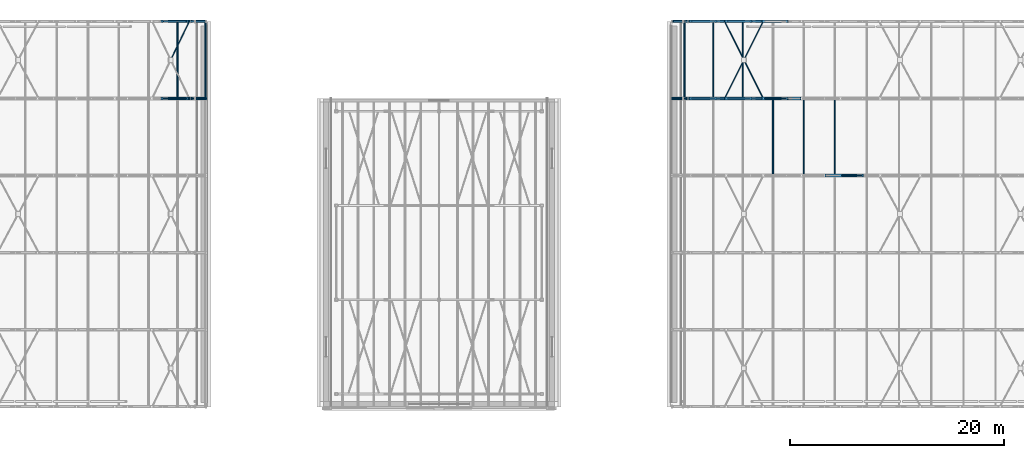
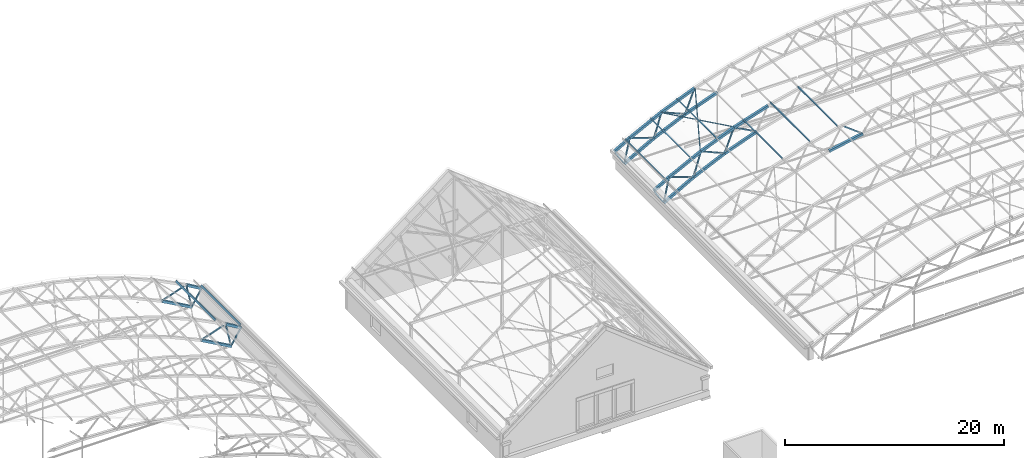
# One storey, part 43 of 127: 50 members.
"""IFC4 building model written with IfcOpenShell, lengths in metres."""

from ifc_helpers import new_model, si_unit, direction, frame, origin, origin_2d, place, context, subcontext, project, spatial, hollow_rectangle, hollow_circle, extrude, material, material_profile, profile_set, type_object, element, save


model = new_model("IFC4")

# Units and contexts
model_context = context("Model", 3, precision=1e-05, world=origin(), true_north=direction((0.0, 1.0)))
body_context = subcontext(model_context, "Body", "Model", "MODEL_VIEW")
ifc_project = project(units=[si_unit("LENGTHUNIT", "METRE"), si_unit("AREAUNIT", "SQUARE_METRE"), si_unit("VOLUMEUNIT", "CUBIC_METRE"), si_unit("PLANEANGLEUNIT", "RADIAN"), si_unit("MASSUNIT", "GRAM", prefix="KILO")], contexts=[model_context])

# Site, building, storey
site_placement = place(None, origin())
site = spatial("IfcSite", under=ifc_project, at=site_placement, CompositionType="ELEMENT")
building_placement = place(site_placement, origin())
building = spatial("IfcBuilding", under=site, at=building_placement, Name="Verrick Yard Athletic Hall", CompositionType="ELEMENT")
storey_placement = place(building_placement, frame((0.0, 0.0, 14.0)))
storey = spatial("IfcBuildingStorey", under=building, at=storey_placement, Name="L03", CompositionType="ELEMENT", Elevation=14.0)

# Members
ifc_material = material(Name="Structural steel HSS Class C 350W (CSA G40.20/G40.21)", Category="steel")
ifc_material_profile_1 = material_profile(ifc_material, hollow_rectangle(XDim=0.25390625, YDim=0.25390625, WallThickness=0.009521484375, at=origin_2d()), Name="HSS254x254x9.5")
ifc_profile_set_1 = profile_set([ifc_material_profile_1], Name="Structural steel HSS Class C 350W (CSA G40.20/G40.21)")
member_type_1 = type_object("IfcMemberType", Name="HB bottom chord HSS254x254x9.5", PredefinedType="CHORD", material=ifc_profile_set_1)
member_1_placement = place(storey_placement, frame((134.883544921875, 93.60009765625, 5.4912109375), z_axis=(0.980846119722, 0.0, 0.194784212465), x_axis=(0.0, 1.0, 0.0)))
element("IfcMember", 1, at=member_1_placement, inside=storey, type_object=member_type_1, Name="Truss TA4 bottom chord 5", PredefinedType="CHORD", context=body_context, shape_type="SweptSolid", body=[
    extrude(hollow_rectangle(XDim=0.25390625, YDim=0.25390625, WallThickness=0.009521484375, at=origin_2d()), origin(), (0.0, 0.0, 1.0), 3.595947265625),
])
member_2_placement = place(storey_placement, frame((121.60009765625, 100.800048828125, 0.0), z_axis=(0.872881488331, 0.0, 0.4879322774), x_axis=(0.0, 1.0, 0.0)))
element("IfcMember", 2, at=member_2_placement, inside=storey, type_object=member_type_1, Name="Truss TA5 bottom chord 1", PredefinedType="CHORD", context=body_context, shape_type="SweptSolid", body=[
    extrude(hollow_rectangle(XDim=0.25390625, YDim=0.25390625, WallThickness=0.009521484375, at=origin_2d()), origin(), (0.0, 0.0, 1.0), 3.60107421875),
])
member_3_placement = place(storey_placement, frame((124.752197265625, 100.800048828125, 1.761474609375), z_axis=(0.908445597889, 0.0, 0.418003104865), x_axis=(0.0, 1.0, 0.0)))
element("IfcMember", 3, at=member_3_placement, inside=storey, type_object=member_type_1, Name="Truss TA5 bottom chord 2", PredefinedType="CHORD", context=body_context, shape_type="SweptSolid", body=[
    extrude(hollow_rectangle(XDim=0.25390625, YDim=0.25390625, WallThickness=0.009521484375, at=origin_2d()), origin(), (0.0, 0.0, 1.0), 3.59619140625),
])
member_4_placement = place(storey_placement, frame((128.0283203125, 100.800048828125, 3.2685546875), z_axis=(0.938394107905, 0.0, 0.345566922966), x_axis=(0.0, 1.0, 0.0)))
element("IfcMember", 4, at=member_4_placement, inside=storey, type_object=member_type_1, Name="Truss TA5 bottom chord 3", PredefinedType="CHORD", context=body_context, shape_type="SweptSolid", body=[
    extrude(hollow_rectangle(XDim=0.25390625, YDim=0.25390625, WallThickness=0.009521484375, at=origin_2d()), origin(), (0.0, 0.0, 1.0), 3.595947265625),
])
member_5_placement = place(storey_placement, frame((121.60009765625, 108.0, 0.0), z_axis=(0.872881488331, 0.0, 0.4879322774), x_axis=(0.0, 1.0, 0.0)))
element("IfcMember", 5, at=member_5_placement, inside=storey, type_object=member_type_1, Name="Truss TA6 bottom chord 1", PredefinedType="CHORD", context=body_context, shape_type="SweptSolid", body=[
    extrude(hollow_rectangle(XDim=0.25390625, YDim=0.25390625, WallThickness=0.009521484375, at=origin_2d()), origin(), (0.0, 0.0, 1.0), 3.60107421875),
])
member_6_placement = place(storey_placement, frame((124.752197265625, 108.0, 1.761474609375), z_axis=(0.908445597889, 0.0, 0.418003104865), x_axis=(0.0, 1.0, 0.0)))
element("IfcMember", 6, at=member_6_placement, inside=storey, type_object=member_type_1, Name="Truss TA6 bottom chord 2", PredefinedType="CHORD", context=body_context, shape_type="SweptSolid", body=[
    extrude(hollow_rectangle(XDim=0.25390625, YDim=0.25390625, WallThickness=0.009521484375, at=origin_2d()), origin(), (0.0, 0.0, 1.0), 3.59619140625),
])
member_7_placement = place(storey_placement, frame((128.0283203125, 108.0, 3.2685546875), z_axis=(0.938394107905, 0.0, 0.345566922966), x_axis=(0.0, 1.0, 0.0)))
element("IfcMember", 7, at=member_7_placement, inside=storey, type_object=member_type_1, Name="Truss TA6 bottom chord 3", PredefinedType="CHORD", context=body_context, shape_type="SweptSolid", body=[
    extrude(hollow_rectangle(XDim=0.25390625, YDim=0.25390625, WallThickness=0.009521484375, at=origin_2d()), origin(), (0.0, 0.0, 1.0), 3.595947265625),
])
for number, where, z_axis, x_axis, name in (
    (8, (72.856689453125, 100.800048828125, 1.757080078125), (0.872881488331, 0.0, -0.4879322774), (0.0, 1.0, 0.0), "Truss TB5 bottom chord 14"),
    (9, (72.856689453125, 108.0, 1.757080078125), (0.872881488331, 0.0, -0.4879322774), (0.0, 1.0, 0.0), "Truss TB6 bottom chord 14"),
):
    element("IfcMember", number, at=place(storey_placement, frame(where, z_axis=z_axis, x_axis=x_axis)), inside=storey, type_object=member_type_1, Name=name, PredefinedType="CHORD", context=body_context, shape_type="SweptSolid", body=[
        extrude(hollow_rectangle(XDim=0.25390625, YDim=0.25390625, WallThickness=0.009521484375, at=origin_2d()), origin(), (0.0, 0.0, 1.0), 3.60107421875),
    ])
ifc_material_profile_2 = material_profile(ifc_material, hollow_rectangle(XDim=0.1015625, YDim=0.203125, WallThickness=0.009521484375, at=origin_2d()), Name="HSS203x102x9.5")
ifc_profile_set_2 = profile_set([ifc_material_profile_2], Name="Structural steel HSS Class C 350W (CSA G40.20/G40.21)")
member_type_2 = type_object("IfcMemberType", Name="HB purlin HSS203x102x9.5", PredefinedType="PURLIN", material=ifc_profile_set_2)
for number, where, z_axis, x_axis, name in (
    (10, (129.98095703125, 93.60009765625, 6.3544921875), (0.0, 1.0, 0.0), (-0.951213620533, 0.0, -0.308533058379), "HB-PU-A-4-4"),
    (11, (132.858642578125, 93.60009765625, 7.260009765625), (0.0, 1.0, 0.0), (-0.972458956474, 0.0, -0.23307418985), "HB-PU-A-4-5"),
    (12, (135.776123046875, 93.60009765625, 7.959228515625), (0.0, 1.0, 0.0), (-0.972458956474, 0.0, -0.23307418985), "HB-PU-A-4-6"),
    (13, (121.73583984375, 100.800048828125, 2.660888671875), (0.0, 1.0, 0.0), (-0.86316809178, 0.0, -0.504916671673), "HB-PU-A-5-1"),
    (14, (124.410888671875, 100.800048828125, 4.046875), (0.0, 1.0, 0.0), (-0.891352741199, 0.0, -0.453310369126), "HB-PU-A-5-2"),
    (15, (127.162109375, 100.800048828125, 5.2822265625), (0.0, 1.0, 0.0), (-0.924122791552, 0.0, -0.382095624331), "HB-PU-A-5-3"),
    (16, (74.365234375, 100.800048828125, 3.44873046875), (0.0, 1.0, 0.0), (-0.891352741199, 0.0, 0.453310369126), "HB-PU-B-5-17"),
    (17, (77.003173828125, 100.800048828125, 1.99462890625), (0.0, 1.0, 0.0), (-0.86316809178, 0.0, 0.504916671673), "HB-PU-B-5-18"),
):
    element("IfcMember", number, at=place(storey_placement, frame(where, z_axis=z_axis, x_axis=x_axis)), inside=storey, type_object=member_type_2, Name=name, PredefinedType="PURLIN", context=body_context, shape_type="SweptSolid", body=[
        extrude(hollow_rectangle(XDim=0.1015625, YDim=0.203125, WallThickness=0.009521484375, at=origin_2d()), origin(), (0.0, 0.0, 1.0), 7.199951171875),
    ])
ifc_material_profile_3 = material_profile(ifc_material, hollow_circle(Radius=0.05712890625, WallThickness=0.00634765625, at=origin_2d()), Name="HSS114x6.4")
ifc_profile_set_3 = profile_set([ifc_material_profile_3], Name="Structural steel HSS Class C 350W (CSA G40.20/G40.21)")
member_type_3 = type_object("IfcMemberType", Name="HB roof brace HSS114x6.4", PredefinedType="BRACE", material=ifc_profile_set_3)
member_8_placement = place(storey_placement, frame((125.534912109375, 100.927001953125, 4.362060546875), z_axis=(0.440175081997, 0.879270525212, 0.182014396913), x_axis=(-0.894207487255, 0.447652733418, 0.0)))
element("IfcMember", 18, at=member_8_placement, inside=storey, type_object=member_type_3, Name="HB-BR-A-5-1b1", PredefinedType="BRACE", context=body_context, shape_type="SweptSolid", body=[
    extrude(hollow_circle(Radius=0.05712890625, WallThickness=0.00634765625, at=origin_2d()), origin(), (0.0, 0.0, 1.0), 3.84423828125),
])
member_9_placement = place(storey_placement, frame((127.31982421875, 104.49267578125, 5.10009765625), z_axis=(0.440201702979, 0.879260354795, 0.181999146096), x_axis=(-0.89419457696, 0.447678521413, 0.0)))
element("IfcMember", 19, at=member_9_placement, inside=storey, type_object=member_type_3, Name="HB-BR-A-5-1b2", PredefinedType="BRACE", context=body_context, shape_type="SweptSolid", body=[
    extrude(hollow_circle(Radius=0.05712890625, WallThickness=0.00634765625, at=origin_2d()), origin(), (0.0, 0.0, 1.0), 3.844482421875),
])
member_10_placement = place(storey_placement, frame((129.01220703125, 100.927001953125, 5.7998046875), z_axis=(-0.440177215443, 0.87927276252, -0.181998428824), x_axis=(-0.894207074699, -0.447653557518, 0.0)))
element("IfcMember", 20, at=member_10_placement, inside=storey, type_object=member_type_3, Name="HB-BR-A-5-1a", PredefinedType="BRACE", context=body_context, shape_type="SweptSolid", body=[
    extrude(hollow_circle(Radius=0.05712890625, WallThickness=0.00634765625, at=origin_2d()), origin(), (0.0, 0.0, 1.0), 7.899658203125),
])
member_11_placement = place(storey_placement, frame((73.786865234375, 104.49267578125, 3.486328125), z_axis=(0.424583414443, 0.879267417945, -0.215911398311), x_axis=(-0.900507729965, 0.434840003073, 0.0)))
element("IfcMember", 21, at=member_11_placement, inside=storey, type_object=member_type_3, Name="HB-BR-B-5-12b2", PredefinedType="BRACE", context=body_context, shape_type="SweptSolid", body=[
    extrude(hollow_circle(Radius=0.05712890625, WallThickness=0.00634765625, at=origin_2d()), origin(), (0.0, 0.0, 1.0), 3.844482421875),
])
ifc_material_profile_4 = material_profile(ifc_material, hollow_rectangle(XDim=0.25390625, YDim=0.25390625, WallThickness=0.009521484375, at=origin_2d()), Name="HSS254x254x9.5")
ifc_profile_set_4 = profile_set([ifc_material_profile_4], Name="Structural steel HSS Class C 350W (CSA G40.20/G40.21)")
member_type_4 = type_object("IfcMemberType", Name="HB top chord HSS254x254x9.5", PredefinedType="CHORD", material=ifc_profile_set_4)
member_12_placement = place(storey_placement, frame((120.556640625, 100.800048828125, 1.706298828125), z_axis=(0.863141630219, 0.0, 0.504961905674), x_axis=(0.0, 1.0, 0.0)))
element("IfcMember", 22, at=member_12_placement, inside=storey, type_object=member_type_4, Name="Truss TA5 top chord 1", PredefinedType="CHORD", context=body_context, shape_type="SweptSolid", body=[
    extrude(hollow_rectangle(XDim=0.25390625, YDim=0.25390625, WallThickness=0.009521484375, at=origin_2d()), origin(), (0.0, 0.0, 1.0), 1.8779296875),
])
member_13_placement = place(storey_placement, frame((122.18408203125, 100.800048828125, 2.657958984375), z_axis=(0.891336584454, 0.0, 0.453342137037), x_axis=(0.0, 1.0, 0.0)))
element("IfcMember", 23, at=member_13_placement, inside=storey, type_object=member_type_4, Name="Truss TA5 top chord 2", PredefinedType="CHORD", context=body_context, shape_type="SweptSolid", body=[
    extrude(hollow_rectangle(XDim=0.25390625, YDim=0.25390625, WallThickness=0.009521484375, at=origin_2d()), origin(), (0.0, 0.0, 1.0), 3.754150390625),
])
member_14_placement = place(storey_placement, frame((125.53955078125, 100.800048828125, 4.364013671875), z_axis=(0.924130129149, 0.0, 0.382077877402), x_axis=(0.0, 1.0, 0.0)))
element("IfcMember", 24, at=member_14_placement, inside=storey, type_object=member_type_4, Name="Truss TA5 top chord 3", PredefinedType="CHORD", context=body_context, shape_type="SweptSolid", body=[
    extrude(hollow_rectangle(XDim=0.25390625, YDim=0.25390625, WallThickness=0.009521484375, at=origin_2d()), origin(), (0.0, 0.0, 1.0), 3.752685546875),
])
member_15_placement = place(storey_placement, frame((129.016845703125, 100.800048828125, 5.80126953125), z_axis=(0.951208887206, 0.0, 0.308547650938), x_axis=(0.0, 1.0, 0.0)))
element("IfcMember", 25, at=member_15_placement, inside=storey, type_object=member_type_4, Name="Truss TA5 top chord 4", PredefinedType="CHORD", context=body_context, shape_type="SweptSolid", body=[
    extrude(hollow_rectangle(XDim=0.25390625, YDim=0.25390625, WallThickness=0.009521484375, at=origin_2d()), origin(), (0.0, 0.0, 1.0), 3.7529296875),
])
member_16_placement = place(storey_placement, frame((120.556640625, 108.0, 1.706298828125), z_axis=(0.863141630219, 0.0, 0.504961905674), x_axis=(0.0, 1.0, 0.0)))
element("IfcMember", 26, at=member_16_placement, inside=storey, type_object=member_type_4, Name="Truss TA6 top chord 1", PredefinedType="CHORD", context=body_context, shape_type="SweptSolid", body=[
    extrude(hollow_rectangle(XDim=0.25390625, YDim=0.25390625, WallThickness=0.009521484375, at=origin_2d()), origin(), (0.0, 0.0, 1.0), 1.8779296875),
])
member_17_placement = place(storey_placement, frame((122.18408203125, 108.0, 2.657958984375), z_axis=(0.891336584454, 0.0, 0.453342137037), x_axis=(0.0, 1.0, 0.0)))
element("IfcMember", 27, at=member_17_placement, inside=storey, type_object=member_type_4, Name="Truss TA6 top chord 2", PredefinedType="CHORD", context=body_context, shape_type="SweptSolid", body=[
    extrude(hollow_rectangle(XDim=0.25390625, YDim=0.25390625, WallThickness=0.009521484375, at=origin_2d()), origin(), (0.0, 0.0, 1.0), 3.754150390625),
])
member_18_placement = place(storey_placement, frame((125.53955078125, 108.0, 4.364013671875), z_axis=(0.924130129149, 0.0, 0.382077877402), x_axis=(0.0, 1.0, 0.0)))
element("IfcMember", 28, at=member_18_placement, inside=storey, type_object=member_type_4, Name="Truss TA6 top chord 3", PredefinedType="CHORD", context=body_context, shape_type="SweptSolid", body=[
    extrude(hollow_rectangle(XDim=0.25390625, YDim=0.25390625, WallThickness=0.009521484375, at=origin_2d()), origin(), (0.0, 0.0, 1.0), 3.752685546875),
])
for number, where, z_axis, x_axis, name in (
    (29, (75.42236328125, 100.800048828125, 2.654541015625), (0.863174775639, 0.0, -0.504905245269), (0.0, 1.0, 0.0), "Truss TB5 top chord 15"),
    (30, (75.42236328125, 108.0, 2.654541015625), (0.863174775639, 0.0, -0.504905245269), (0.0, 1.0, 0.0), "Truss TB6 top chord 15"),
):
    element("IfcMember", number, at=place(storey_placement, frame(where, z_axis=z_axis, x_axis=x_axis)), inside=storey, type_object=member_type_4, Name=name, PredefinedType="CHORD", context=body_context, shape_type="SweptSolid", body=[
        extrude(hollow_rectangle(XDim=0.25390625, YDim=0.25390625, WallThickness=0.009521484375, at=origin_2d()), origin(), (0.0, 0.0, 1.0), 1.878173828125),
    ])
ifc_material_profile_5 = material_profile(ifc_material, hollow_rectangle(XDim=0.126953125, YDim=0.126953125, WallThickness=0.009521484375, at=origin_2d()), Name="HSS127x127x9.5")
ifc_profile_set_5 = profile_set([ifc_material_profile_5], Name="Structural steel HSS Class C 350W (CSA G40.20/G40.21)")
member_type_5 = type_object("IfcMemberType", Name="HB truss end post HSS127x127x9.5", PredefinedType="POST", material=ifc_profile_set_5)
for number, where, z_axis, x_axis, name in (
    (31, (121.532470703125, 100.800048828125, 0.110595703125), (-0.521773101112, 0.0, 0.853084304718), (0.0, -1.0, 0.0), "Truss TA5 end post 1"),
    (32, (121.532470703125, 108.0, 0.110595703125), (-0.521773101112, 0.0, 0.853084304718), (0.0, -1.0, 0.0), "Truss TA6 end post 1"),
    (33, (76.067626953125, 100.800048828125, 0.110595703125), (0.521773101112, 0.0, 0.853084304718), (0.0, 1.0, 0.0), "Truss TB5 end post 2"),
    (34, (76.067626953125, 108.0, 0.110595703125), (0.521773101112, 0.0, 0.853084304718), (0.0, 1.0, 0.0), "Truss TB6 end post 2"),
):
    element("IfcMember", number, at=place(storey_placement, frame(where, z_axis=z_axis, x_axis=x_axis)), inside=storey, type_object=member_type_5, Name=name, PredefinedType="POST", context=body_context, shape_type="SweptSolid", body=[
        extrude(hollow_rectangle(XDim=0.126953125, YDim=0.126953125, WallThickness=0.009521484375, at=origin_2d()), origin(), (0.0, 0.0, 1.0), 1.741943359375),
    ])
ifc_material_profile_6 = material_profile(ifc_material, hollow_rectangle(XDim=0.126953125, YDim=0.126953125, WallThickness=0.009521484375, at=origin_2d()), Name="HSS127x127x9.5")
ifc_profile_set_6 = profile_set([ifc_material_profile_6], Name="Structural steel HSS Class C 350W (CSA G40.20/G40.21)")
member_type_6 = type_object("IfcMemberType", Name="HB truss web HSS127x127x9.5", PredefinedType="BRACE", material=ifc_profile_set_6)
member_19_placement = place(storey_placement, frame((136.439208984375, 93.60009765625, 7.694580078125), z_axis=(0.796206425538, 0.0, -0.605025063887), x_axis=(0.0, 1.0, 0.0)))
element("IfcMember", 35, at=member_19_placement, inside=storey, type_object=member_type_6, Name="Truss TA4 web 10", PredefinedType="BRACE", context=body_context, shape_type="SweptSolid", body=[
    extrude(hollow_rectangle(XDim=0.126953125, YDim=0.126953125, WallThickness=0.009521484375, at=origin_2d()), origin(), (0.0, 0.0, 1.0), 2.2333984375),
])
member_20_placement = place(storey_placement, frame((121.648193359375, 100.800048828125, 0.220703125), z_axis=(0.213603528569, 0.0, 0.976920433087), x_axis=(0.0, 1.0, 0.0)))
element("IfcMember", 36, at=member_20_placement, inside=storey, type_object=member_type_6, Name="Truss end diagonal TA5-1", PredefinedType="BRACE", context=body_context, shape_type="SweptSolid", body=[
    extrude(hollow_rectangle(XDim=0.126953125, YDim=0.126953125, WallThickness=0.009521484375, at=origin_2d()), origin(), (0.0, 0.0, 1.0), 2.261962890625),
])
for number, where, z_axis, x_axis, name in (
    (37, (122.404296875, 100.800048828125, 2.578369140625), (0.944026930686, 0.0, -0.329868389118), (0.0, 1.0, 0.0), "Truss TA5 web 2"),
    (38, (124.81982421875, 100.800048828125, 1.99755859375), (0.289443070658, 0.0, 0.957195230268), (0.0, 1.0, 0.0), "Truss TA5 web 3"),
    (39, (125.75146484375, 100.800048828125, 4.2666015625), (0.915297302882, 0.0, -0.402778906272), (0.0, 1.0, 0.0), "Truss TA5 web 4"),
    (40, (128.114013671875, 100.800048828125, 3.49853515625), (0.363537858519, 0.0, 0.931579425183), (0.0, 1.0, 0.0), "Truss TA5 web 5"),
    (41, (129.220703125, 100.800048828125, 5.687744140625), (0.880926928438, 0.0, -0.473252307709), (0.0, 1.0, 0.0), "Truss TA5 web 6"),
):
    element("IfcMember", number, at=place(storey_placement, frame(where, z_axis=z_axis, x_axis=x_axis)), inside=storey, type_object=member_type_6, Name=name, PredefinedType="BRACE", context=body_context, shape_type="SweptSolid", body=[
        extrude(hollow_rectangle(XDim=0.126953125, YDim=0.126953125, WallThickness=0.009521484375, at=origin_2d()), origin(), (0.0, 0.0, 1.0), 2.233642578125),
    ])
member_21_placement = place(storey_placement, frame((121.648193359375, 108.0, 0.220703125), z_axis=(0.213603528569, 0.0, 0.976920433087), x_axis=(0.0, 1.0, 0.0)))
element("IfcMember", 42, at=member_21_placement, inside=storey, type_object=member_type_6, Name="Truss end diagonal TA6-1", PredefinedType="BRACE", context=body_context, shape_type="SweptSolid", body=[
    extrude(hollow_rectangle(XDim=0.126953125, YDim=0.126953125, WallThickness=0.009521484375, at=origin_2d()), origin(), (0.0, 0.0, 1.0), 2.261962890625),
])
for number, where, z_axis, x_axis, name in (
    (43, (122.404296875, 108.0, 2.578369140625), (0.944026930686, 0.0, -0.329868389118), (0.0, 1.0, 0.0), "Truss TA6 web 2"),
    (44, (124.81982421875, 108.0, 1.99755859375), (0.289443070658, 0.0, 0.957195230268), (0.0, 1.0, 0.0), "Truss TA6 web 3"),
    (45, (125.75146484375, 108.0, 4.2666015625), (0.915297302882, 0.0, -0.402778906272), (0.0, 1.0, 0.0), "Truss TA6 web 4"),
    (46, (128.114013671875, 108.0, 3.49853515625), (0.363537858519, 0.0, 0.931579425183), (0.0, 1.0, 0.0), "Truss TA6 web 5"),
):
    element("IfcMember", number, at=place(storey_placement, frame(where, z_axis=z_axis, x_axis=x_axis)), inside=storey, type_object=member_type_6, Name=name, PredefinedType="BRACE", context=body_context, shape_type="SweptSolid", body=[
        extrude(hollow_rectangle(XDim=0.126953125, YDim=0.126953125, WallThickness=0.009521484375, at=origin_2d()), origin(), (0.0, 0.0, 1.0), 2.233642578125),
    ])
member_22_placement = place(storey_placement, frame((73.087158203125, 100.800048828125, 1.841552734375), z_axis=(0.944015035532, 0.0, 0.329902429045), x_axis=(0.0, 1.0, 0.0)))
element("IfcMember", 47, at=member_22_placement, inside=storey, type_object=member_type_6, Name="Truss TB5 web 27", PredefinedType="BRACE", context=body_context, shape_type="SweptSolid", body=[
    extrude(hollow_rectangle(XDim=0.126953125, YDim=0.126953125, WallThickness=0.009521484375, at=origin_2d()), origin(), (0.0, 0.0, 1.0), 2.2333984375),
])
member_23_placement = place(storey_placement, frame((75.468505859375, 100.800048828125, 2.430419921875), z_axis=(0.213603528569, 0.0, -0.976920433087), x_axis=(0.0, 1.0, 0.0)))
element("IfcMember", 48, at=member_23_placement, inside=storey, type_object=member_type_6, Name="Truss end diagonal TB5-28", PredefinedType="BRACE", context=body_context, shape_type="SweptSolid", body=[
    extrude(hollow_rectangle(XDim=0.126953125, YDim=0.126953125, WallThickness=0.009521484375, at=origin_2d()), origin(), (0.0, 0.0, 1.0), 2.261962890625),
])
member_24_placement = place(storey_placement, frame((73.087158203125, 108.0, 1.841552734375), z_axis=(0.944015035532, 0.0, 0.329902429045), x_axis=(0.0, 1.0, 0.0)))
element("IfcMember", 49, at=member_24_placement, inside=storey, type_object=member_type_6, Name="Truss TB6 web 27", PredefinedType="BRACE", context=body_context, shape_type="SweptSolid", body=[
    extrude(hollow_rectangle(XDim=0.126953125, YDim=0.126953125, WallThickness=0.009521484375, at=origin_2d()), origin(), (0.0, 0.0, 1.0), 2.2333984375),
])
member_25_placement = place(storey_placement, frame((75.468505859375, 108.0, 2.430419921875), z_axis=(0.213603528569, 0.0, -0.976920433087), x_axis=(0.0, 1.0, 0.0)))
element("IfcMember", 50, at=member_25_placement, inside=storey, type_object=member_type_6, Name="Truss end diagonal TB6-28", PredefinedType="BRACE", context=body_context, shape_type="SweptSolid", body=[
    extrude(hollow_rectangle(XDim=0.126953125, YDim=0.126953125, WallThickness=0.009521484375, at=origin_2d()), origin(), (0.0, 0.0, 1.0), 2.261962890625),
])

save(model, "model.ifc")
